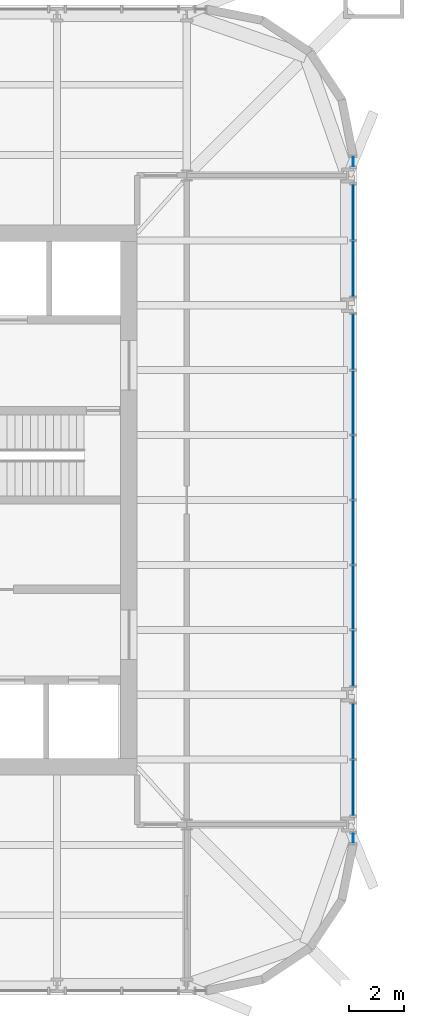
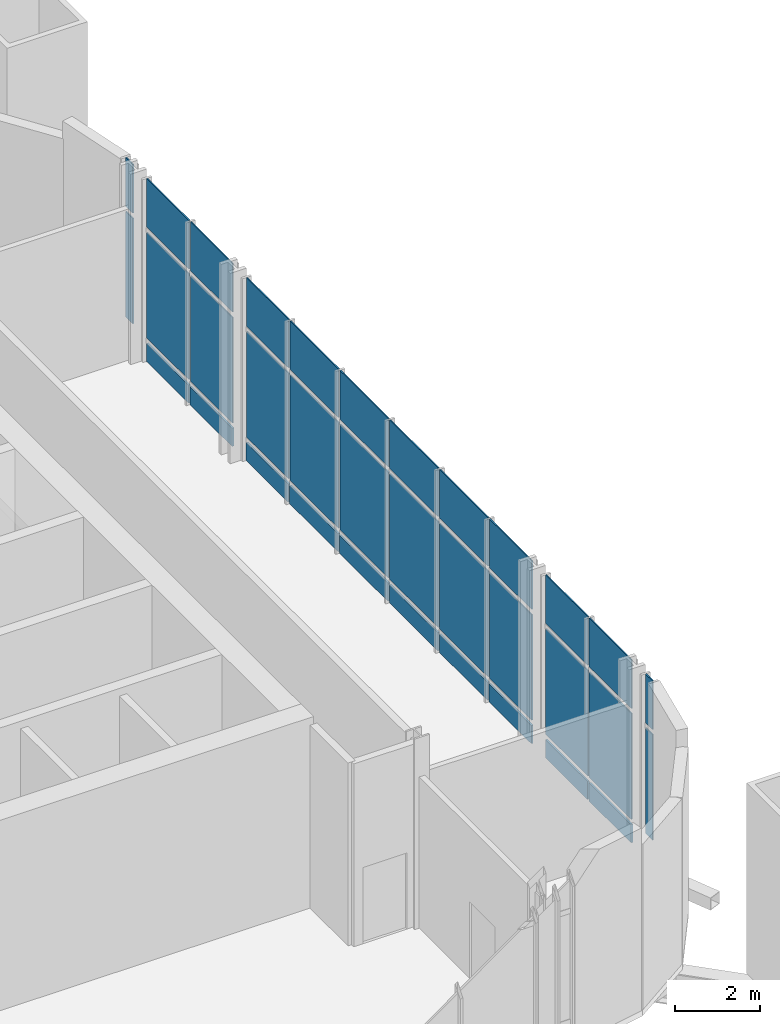
# One storey, part 11 of 17: 34 plates, 5 elements without a shape of their own.
"""IFC4 building model written with IfcOpenShell, lengths in metres."""

from ifc_helpers import new_model, si_unit, direction, frame, origin, origin_2d, place, context, subcontext, project, spatial, rectangle, extrude, material, layer, layer_set, type_object, element, aggregate, save


model = new_model("IFC4")

# Units and contexts
model_context = context("Model", 3, precision=1e-05, world=origin(), true_north=direction((0.0, 1.0)))
body_context = subcontext(model_context, "Body", "Model", "MODEL_VIEW")
ifc_project = project(units=[si_unit("LENGTHUNIT", "METRE"), si_unit("AREAUNIT", "SQUARE_METRE"), si_unit("VOLUMEUNIT", "CUBIC_METRE"), si_unit("PLANEANGLEUNIT", "RADIAN"), si_unit("MASSUNIT", "GRAM", prefix="KILO")], contexts=[model_context])

# Site, building, storey
site_placement = place(None, origin())
site = spatial("IfcSite", under=ifc_project, at=site_placement, CompositionType="ELEMENT")
building_placement = place(site_placement, origin())
building = spatial("IfcBuilding", under=site, at=building_placement, Name="Turquesa Mirador Hotel Tower", CompositionType="ELEMENT")
storey_placement = place(building_placement, frame((0.0, 0.0, 266.699951171875)))
storey = spatial("IfcBuildingStorey", under=building, at=storey_placement, Name="L72", CompositionType="ELEMENT", Elevation=266.699951171875)

# Curtain wall, plates
ifc_material_1 = material(Name="Aluminium extrusion", Category="aluminium")
curtain_wall_type = type_object("IfcCurtainWallType", Name="CW-6 OBSERVATION CURTAIN WALL", PredefinedType="USERDEFINED", material=ifc_material_1)
curtain_wall_1_placement = place(storey_placement, origin())
curtain_wall_1 = element("IfcCurtainWall", 1, at=curtain_wall_1_placement, inside=storey, type_object=curtain_wall_type, Name="CW-6 OBSERVATION CURTAIN WALL L72", ObjectType="CURTAIN WALL", PredefinedType="USERDEFINED")
ifc_material_2 = material(Name="Ceramic-printed spandrel glass on an insulated back pan", Category="glass")
ifc_layer_1 = layer(ifc_material_2, 0.050048828125)
ifc_layer_set_1 = layer_set([ifc_layer_1], Name="CW PANEL SPANDREL CERAMIC")
plate_type_1 = type_object("IfcPlateType", Name="CW PANEL SPANDREL CERAMIC", PredefinedType="CURTAIN_PANEL", material=ifc_layer_set_1)
plate_1_placement = place(storey_placement, frame((72.85009765625, 34.530029296875, 0.0), z_axis=(0.0, 0.0, 1.0), x_axis=(0.0, 1.0, 0.0)))
plate_1 = element("IfcPlate", 2, at=plate_1_placement, type_object=plate_type_1, Name="Panel", PredefinedType="CURTAIN_PANEL", context=body_context, shape_type="SweptSolid", body=[
    extrude(rectangle(XDim=1.9951171875, YDim=0.050048828125, at=origin_2d()), origin(), (0.0, 0.0, 1.0), 0.52490234375),
])
plate_2_placement = place(storey_placement, frame((72.85009765625, 36.590087890625, 0.0), z_axis=(0.0, 0.0, 1.0), x_axis=(0.0, 1.0, 0.0)))
plate_2 = element("IfcPlate", 3, at=plate_2_placement, type_object=plate_type_1, Name="Panel", PredefinedType="CURTAIN_PANEL", context=body_context, shape_type="SweptSolid", body=[
    extrude(rectangle(XDim=1.9951171875, YDim=0.050048828125, at=origin_2d()), origin(), (0.0, 0.0, 1.0), 0.52490234375),
])

curtain_wall_2_placement = place(storey_placement, origin())
curtain_wall_2 = element("IfcCurtainWall", 4, at=curtain_wall_2_placement, inside=storey, type_object=curtain_wall_type, Name="CW-6 OBSERVATION CURTAIN WALL L72", ObjectType="CURTAIN WALL", PredefinedType="USERDEFINED")
plate_3_placement = place(storey_placement, frame((72.85009765625, 39.25, 0.0), z_axis=(0.0, 0.0, 1.0), x_axis=(0.0, 1.0, 0.0)))
plate_3 = element("IfcPlate", 5, at=plate_3_placement, type_object=plate_type_1, Name="Panel", PredefinedType="CURTAIN_PANEL", context=body_context, shape_type="SweptSolid", body=[
    extrude(rectangle(XDim=1.9951171875, YDim=0.050048828125, at=origin_2d()), origin(), (0.0, 0.0, 1.0), 0.52490234375),
])
plate_4_placement = place(storey_placement, frame((72.85009765625, 41.4599609375, 0.0), z_axis=(0.0, 0.0, 1.0), x_axis=(0.0, 1.0, 0.0)))
plate_4 = element("IfcPlate", 6, at=plate_4_placement, type_object=plate_type_1, Name="Panel", PredefinedType="CURTAIN_PANEL", context=body_context, shape_type="SweptSolid", body=[
    extrude(rectangle(XDim=2.294921875, YDim=0.050048828125, at=origin_2d()), origin(), (0.0, 0.0, 1.0), 0.52490234375),
])
plate_5_placement = place(storey_placement, frame((72.85009765625, 43.820068359375, 0.0), z_axis=(0.0, 0.0, 1.0), x_axis=(0.0, 1.0, 0.0)))
plate_5 = element("IfcPlate", 7, at=plate_5_placement, type_object=plate_type_1, Name="Panel", PredefinedType="CURTAIN_PANEL", context=body_context, shape_type="SweptSolid", body=[
    extrude(rectangle(XDim=2.294921875, YDim=0.050048828125, at=origin_2d()), origin(), (0.0, 0.0, 1.0), 0.52490234375),
])
plate_6_placement = place(storey_placement, frame((72.85009765625, 46.179931640625, 0.0), z_axis=(0.0, 0.0, 1.0), x_axis=(0.0, 1.0, 0.0)))
plate_6 = element("IfcPlate", 8, at=plate_6_placement, type_object=plate_type_1, Name="Panel", PredefinedType="CURTAIN_PANEL", context=body_context, shape_type="SweptSolid", body=[
    extrude(rectangle(XDim=2.294921875, YDim=0.050048828125, at=origin_2d()), origin(), (0.0, 0.0, 1.0), 0.52490234375),
])
plate_7_placement = place(storey_placement, frame((72.85009765625, 48.5400390625, 0.0), z_axis=(0.0, 0.0, 1.0), x_axis=(0.0, 1.0, 0.0)))
plate_7 = element("IfcPlate", 9, at=plate_7_placement, type_object=plate_type_1, Name="Panel", PredefinedType="CURTAIN_PANEL", context=body_context, shape_type="SweptSolid", body=[
    extrude(rectangle(XDim=2.294921875, YDim=0.050048828125, at=origin_2d()), origin(), (0.0, 0.0, 1.0), 0.52490234375),
])
plate_8_placement = place(storey_placement, frame((72.85009765625, 50.75, 0.0), z_axis=(0.0, 0.0, 1.0), x_axis=(0.0, 1.0, 0.0)))
plate_8 = element("IfcPlate", 10, at=plate_8_placement, type_object=plate_type_1, Name="Panel", PredefinedType="CURTAIN_PANEL", context=body_context, shape_type="SweptSolid", body=[
    extrude(rectangle(XDim=1.9951171875, YDim=0.050048828125, at=origin_2d()), origin(), (0.0, 0.0, 1.0), 0.52490234375),
])

curtain_wall_3_placement = place(storey_placement, origin())
curtain_wall_3 = element("IfcCurtainWall", 11, at=curtain_wall_3_placement, inside=storey, type_object=curtain_wall_type, Name="CW-6 OBSERVATION CURTAIN WALL L72", ObjectType="CURTAIN WALL", PredefinedType="USERDEFINED")
plate_9_placement = place(storey_placement, frame((72.85009765625, 53.409912109375, 0.0), z_axis=(0.0, 0.0, 1.0), x_axis=(0.0, 1.0, 0.0)))
plate_9 = element("IfcPlate", 12, at=plate_9_placement, type_object=plate_type_1, Name="Panel", PredefinedType="CURTAIN_PANEL", context=body_context, shape_type="SweptSolid", body=[
    extrude(rectangle(XDim=1.9951171875, YDim=0.050048828125, at=origin_2d()), origin(), (0.0, 0.0, 1.0), 0.52490234375),
])
plate_10_placement = place(storey_placement, frame((72.85009765625, 55.469970703125, 0.0), z_axis=(0.0, 0.0, 1.0), x_axis=(0.0, 1.0, 0.0)))
plate_10 = element("IfcPlate", 13, at=plate_10_placement, type_object=plate_type_1, Name="Panel", PredefinedType="CURTAIN_PANEL", context=body_context, shape_type="SweptSolid", body=[
    extrude(rectangle(XDim=1.9951171875, YDim=0.050048828125, at=origin_2d()), origin(), (0.0, 0.0, 1.0), 0.52490234375),
])

curtain_wall_4_placement = place(storey_placement, origin())
curtain_wall_4 = element("IfcCurtainWall", 14, at=curtain_wall_4_placement, inside=storey, type_object=curtain_wall_type, Name="CW-6 OBSERVATION CURTAIN WALL L72", ObjectType="CURTAIN WALL", PredefinedType="USERDEFINED")
ifc_material_3 = material(Name="Ceramic-fritted laminated glass", Category="glass")
ifc_layer_2 = layer(ifc_material_3, 0.031982421875)
ifc_layer_set_2 = layer_set([ifc_layer_2], Name="CW PANEL VISION FRITTED")
plate_type_2 = type_object("IfcPlateType", Name="CW PANEL VISION FRITTED", PredefinedType="CURTAIN_PANEL", material=ifc_layer_set_2)
plate_11_placement = place(storey_placement, frame((72.85009765625, 32.699951171875, 0.6748046875), z_axis=(0.0, 0.0, 1.0), x_axis=(0.0, 1.0, 0.0)))
plate_11 = element("IfcPlate", 15, at=plate_11_placement, type_object=plate_type_2, Name="Panel", PredefinedType="CURTAIN_PANEL", context=body_context, shape_type="SweptSolid", body=[
    extrude(rectangle(XDim=0.3349609375, YDim=0.031982421875, at=origin_2d()), origin(), (0.0, 0.0, 1.0), 3.050048828125),
])
plate_12_placement = place(storey_placement, frame((72.85009765625, 32.699951171875, 3.875), z_axis=(0.0, 0.0, 1.0), x_axis=(0.0, 1.0, 0.0)))
plate_12 = element("IfcPlate", 16, at=plate_12_placement, type_object=plate_type_2, Name="Panel", PredefinedType="CURTAIN_PANEL", context=body_context, shape_type="SweptSolid", body=[
    extrude(rectangle(XDim=0.3349609375, YDim=0.031982421875, at=origin_2d()), origin(), (0.0, 0.0, 1.0), 1.405029296875),
])
aggregate(curtain_wall_4, [plate_11, plate_12])

# Plate
plate_13_placement = place(storey_placement, frame((72.85009765625, 34.530029296875, 0.6748046875), z_axis=(0.0, 0.0, 1.0), x_axis=(0.0, 1.0, 0.0)))
plate_13 = element("IfcPlate", 17, at=plate_13_placement, type_object=plate_type_2, Name="Panel", PredefinedType="CURTAIN_PANEL", context=body_context, shape_type="SweptSolid", body=[
    extrude(rectangle(XDim=1.9951171875, YDim=0.031982421875, at=origin_2d()), origin(), (0.0, 0.0, 1.0), 3.050048828125),
])

plate_14_placement = place(storey_placement, frame((72.85009765625, 34.530029296875, 3.875), z_axis=(0.0, 0.0, 1.0), x_axis=(0.0, 1.0, 0.0)))
plate_14 = element("IfcPlate", 18, at=plate_14_placement, type_object=plate_type_2, Name="Panel", PredefinedType="CURTAIN_PANEL", context=body_context, shape_type="SweptSolid", body=[
    extrude(rectangle(XDim=1.9951171875, YDim=0.031982421875, at=origin_2d()), origin(), (0.0, 0.0, 1.0), 1.405029296875),
])

plate_15_placement = place(storey_placement, frame((72.85009765625, 36.590087890625, 0.6748046875), z_axis=(0.0, 0.0, 1.0), x_axis=(0.0, 1.0, 0.0)))
plate_15 = element("IfcPlate", 19, at=plate_15_placement, type_object=plate_type_2, Name="Panel", PredefinedType="CURTAIN_PANEL", context=body_context, shape_type="SweptSolid", body=[
    extrude(rectangle(XDim=1.9951171875, YDim=0.031982421875, at=origin_2d()), origin(), (0.0, 0.0, 1.0), 3.050048828125),
])

plate_16_placement = place(storey_placement, frame((72.85009765625, 36.590087890625, 3.875), z_axis=(0.0, 0.0, 1.0), x_axis=(0.0, 1.0, 0.0)))
plate_16 = element("IfcPlate", 20, at=plate_16_placement, type_object=plate_type_2, Name="Panel", PredefinedType="CURTAIN_PANEL", context=body_context, shape_type="SweptSolid", body=[
    extrude(rectangle(XDim=1.9951171875, YDim=0.031982421875, at=origin_2d()), origin(), (0.0, 0.0, 1.0), 1.405029296875),
])

aggregate(curtain_wall_1, [plate_1, plate_13, plate_14, plate_2, plate_15, plate_16])

plate_17_placement = place(storey_placement, frame((72.85009765625, 39.25, 0.6748046875), z_axis=(0.0, 0.0, 1.0), x_axis=(0.0, 1.0, 0.0)))
plate_17 = element("IfcPlate", 21, at=plate_17_placement, type_object=plate_type_2, Name="Panel", PredefinedType="CURTAIN_PANEL", context=body_context, shape_type="SweptSolid", body=[
    extrude(rectangle(XDim=1.9951171875, YDim=0.031982421875, at=origin_2d()), origin(), (0.0, 0.0, 1.0), 3.050048828125),
])

plate_18_placement = place(storey_placement, frame((72.85009765625, 39.25, 3.875), z_axis=(0.0, 0.0, 1.0), x_axis=(0.0, 1.0, 0.0)))
plate_18 = element("IfcPlate", 22, at=plate_18_placement, type_object=plate_type_2, Name="Panel", PredefinedType="CURTAIN_PANEL", context=body_context, shape_type="SweptSolid", body=[
    extrude(rectangle(XDim=1.9951171875, YDim=0.031982421875, at=origin_2d()), origin(), (0.0, 0.0, 1.0), 1.405029296875),
])

plate_19_placement = place(storey_placement, frame((72.85009765625, 41.4599609375, 0.6748046875), z_axis=(0.0, 0.0, 1.0), x_axis=(0.0, 1.0, 0.0)))
plate_19 = element("IfcPlate", 23, at=plate_19_placement, type_object=plate_type_2, Name="Panel", PredefinedType="CURTAIN_PANEL", context=body_context, shape_type="SweptSolid", body=[
    extrude(rectangle(XDim=2.294921875, YDim=0.031982421875, at=origin_2d()), origin(), (0.0, 0.0, 1.0), 3.050048828125),
])

plate_20_placement = place(storey_placement, frame((72.85009765625, 41.4599609375, 3.875), z_axis=(0.0, 0.0, 1.0), x_axis=(0.0, 1.0, 0.0)))
plate_20 = element("IfcPlate", 24, at=plate_20_placement, type_object=plate_type_2, Name="Panel", PredefinedType="CURTAIN_PANEL", context=body_context, shape_type="SweptSolid", body=[
    extrude(rectangle(XDim=2.294921875, YDim=0.031982421875, at=origin_2d()), origin(), (0.0, 0.0, 1.0), 1.405029296875),
])

plate_21_placement = place(storey_placement, frame((72.85009765625, 43.820068359375, 0.6748046875), z_axis=(0.0, 0.0, 1.0), x_axis=(0.0, 1.0, 0.0)))
plate_21 = element("IfcPlate", 25, at=plate_21_placement, type_object=plate_type_2, Name="Panel", PredefinedType="CURTAIN_PANEL", context=body_context, shape_type="SweptSolid", body=[
    extrude(rectangle(XDim=2.294921875, YDim=0.031982421875, at=origin_2d()), origin(), (0.0, 0.0, 1.0), 3.050048828125),
])

plate_22_placement = place(storey_placement, frame((72.85009765625, 43.820068359375, 3.875), z_axis=(0.0, 0.0, 1.0), x_axis=(0.0, 1.0, 0.0)))
plate_22 = element("IfcPlate", 26, at=plate_22_placement, type_object=plate_type_2, Name="Panel", PredefinedType="CURTAIN_PANEL", context=body_context, shape_type="SweptSolid", body=[
    extrude(rectangle(XDim=2.294921875, YDim=0.031982421875, at=origin_2d()), origin(), (0.0, 0.0, 1.0), 1.405029296875),
])

plate_23_placement = place(storey_placement, frame((72.85009765625, 46.179931640625, 0.6748046875), z_axis=(0.0, 0.0, 1.0), x_axis=(0.0, 1.0, 0.0)))
plate_23 = element("IfcPlate", 27, at=plate_23_placement, type_object=plate_type_2, Name="Panel", PredefinedType="CURTAIN_PANEL", context=body_context, shape_type="SweptSolid", body=[
    extrude(rectangle(XDim=2.294921875, YDim=0.031982421875, at=origin_2d()), origin(), (0.0, 0.0, 1.0), 3.050048828125),
])

plate_24_placement = place(storey_placement, frame((72.85009765625, 46.179931640625, 3.875), z_axis=(0.0, 0.0, 1.0), x_axis=(0.0, 1.0, 0.0)))
plate_24 = element("IfcPlate", 28, at=plate_24_placement, type_object=plate_type_2, Name="Panel", PredefinedType="CURTAIN_PANEL", context=body_context, shape_type="SweptSolid", body=[
    extrude(rectangle(XDim=2.294921875, YDim=0.031982421875, at=origin_2d()), origin(), (0.0, 0.0, 1.0), 1.405029296875),
])

plate_25_placement = place(storey_placement, frame((72.85009765625, 48.5400390625, 0.6748046875), z_axis=(0.0, 0.0, 1.0), x_axis=(0.0, 1.0, 0.0)))
plate_25 = element("IfcPlate", 29, at=plate_25_placement, type_object=plate_type_2, Name="Panel", PredefinedType="CURTAIN_PANEL", context=body_context, shape_type="SweptSolid", body=[
    extrude(rectangle(XDim=2.294921875, YDim=0.031982421875, at=origin_2d()), origin(), (0.0, 0.0, 1.0), 3.050048828125),
])

plate_26_placement = place(storey_placement, frame((72.85009765625, 48.5400390625, 3.875), z_axis=(0.0, 0.0, 1.0), x_axis=(0.0, 1.0, 0.0)))
plate_26 = element("IfcPlate", 30, at=plate_26_placement, type_object=plate_type_2, Name="Panel", PredefinedType="CURTAIN_PANEL", context=body_context, shape_type="SweptSolid", body=[
    extrude(rectangle(XDim=2.294921875, YDim=0.031982421875, at=origin_2d()), origin(), (0.0, 0.0, 1.0), 1.405029296875),
])

plate_27_placement = place(storey_placement, frame((72.85009765625, 50.75, 0.6748046875), z_axis=(0.0, 0.0, 1.0), x_axis=(0.0, 1.0, 0.0)))
plate_27 = element("IfcPlate", 31, at=plate_27_placement, type_object=plate_type_2, Name="Panel", PredefinedType="CURTAIN_PANEL", context=body_context, shape_type="SweptSolid", body=[
    extrude(rectangle(XDim=1.9951171875, YDim=0.031982421875, at=origin_2d()), origin(), (0.0, 0.0, 1.0), 3.050048828125),
])

plate_28_placement = place(storey_placement, frame((72.85009765625, 50.75, 3.875), z_axis=(0.0, 0.0, 1.0), x_axis=(0.0, 1.0, 0.0)))
plate_28 = element("IfcPlate", 32, at=plate_28_placement, type_object=plate_type_2, Name="Panel", PredefinedType="CURTAIN_PANEL", context=body_context, shape_type="SweptSolid", body=[
    extrude(rectangle(XDim=1.9951171875, YDim=0.031982421875, at=origin_2d()), origin(), (0.0, 0.0, 1.0), 1.405029296875),
])

aggregate(curtain_wall_2, [plate_3, plate_17, plate_18, plate_4, plate_19, plate_20, plate_5, plate_21, plate_22, plate_6, plate_23, plate_24, plate_7, plate_25, plate_26, plate_8, plate_27, plate_28])

plate_29_placement = place(storey_placement, frame((72.85009765625, 53.409912109375, 0.6748046875), z_axis=(0.0, 0.0, 1.0), x_axis=(0.0, 1.0, 0.0)))
plate_29 = element("IfcPlate", 33, at=plate_29_placement, type_object=plate_type_2, Name="Panel", PredefinedType="CURTAIN_PANEL", context=body_context, shape_type="SweptSolid", body=[
    extrude(rectangle(XDim=1.9951171875, YDim=0.031982421875, at=origin_2d()), origin(), (0.0, 0.0, 1.0), 3.050048828125),
])

plate_30_placement = place(storey_placement, frame((72.85009765625, 53.409912109375, 3.875), z_axis=(0.0, 0.0, 1.0), x_axis=(0.0, 1.0, 0.0)))
plate_30 = element("IfcPlate", 34, at=plate_30_placement, type_object=plate_type_2, Name="Panel", PredefinedType="CURTAIN_PANEL", context=body_context, shape_type="SweptSolid", body=[
    extrude(rectangle(XDim=1.9951171875, YDim=0.031982421875, at=origin_2d()), origin(), (0.0, 0.0, 1.0), 1.405029296875),
])

plate_31_placement = place(storey_placement, frame((72.85009765625, 55.469970703125, 0.6748046875), z_axis=(0.0, 0.0, 1.0), x_axis=(0.0, 1.0, 0.0)))
plate_31 = element("IfcPlate", 35, at=plate_31_placement, type_object=plate_type_2, Name="Panel", PredefinedType="CURTAIN_PANEL", context=body_context, shape_type="SweptSolid", body=[
    extrude(rectangle(XDim=1.9951171875, YDim=0.031982421875, at=origin_2d()), origin(), (0.0, 0.0, 1.0), 3.050048828125),
])

plate_32_placement = place(storey_placement, frame((72.85009765625, 55.469970703125, 3.875), z_axis=(0.0, 0.0, 1.0), x_axis=(0.0, 1.0, 0.0)))
plate_32 = element("IfcPlate", 36, at=plate_32_placement, type_object=plate_type_2, Name="Panel", PredefinedType="CURTAIN_PANEL", context=body_context, shape_type="SweptSolid", body=[
    extrude(rectangle(XDim=1.9951171875, YDim=0.031982421875, at=origin_2d()), origin(), (0.0, 0.0, 1.0), 1.405029296875),
])

aggregate(curtain_wall_3, [plate_9, plate_29, plate_30, plate_10, plate_31, plate_32])

# Curtain wall, plates
curtain_wall_5_placement = place(storey_placement, origin())
curtain_wall_5 = element("IfcCurtainWall", 37, at=curtain_wall_5_placement, inside=storey, type_object=curtain_wall_type, Name="CW-6 OBSERVATION CURTAIN WALL L72", ObjectType="CURTAIN WALL", PredefinedType="USERDEFINED")
plate_33_placement = place(storey_placement, frame((72.85009765625, 57.300048828125, 0.6748046875), z_axis=(0.0, 0.0, 1.0), x_axis=(0.0, 1.0, 0.0)))
plate_33 = element("IfcPlate", 38, at=plate_33_placement, type_object=plate_type_2, Name="Panel", PredefinedType="CURTAIN_PANEL", context=body_context, shape_type="SweptSolid", body=[
    extrude(rectangle(XDim=0.3349609375, YDim=0.031982421875, at=origin_2d()), origin(), (0.0, 0.0, 1.0), 3.050048828125),
])
plate_34_placement = place(storey_placement, frame((72.85009765625, 57.300048828125, 3.875), z_axis=(0.0, 0.0, 1.0), x_axis=(0.0, 1.0, 0.0)))
plate_34 = element("IfcPlate", 39, at=plate_34_placement, type_object=plate_type_2, Name="Panel", PredefinedType="CURTAIN_PANEL", context=body_context, shape_type="SweptSolid", body=[
    extrude(rectangle(XDim=0.3349609375, YDim=0.031982421875, at=origin_2d()), origin(), (0.0, 0.0, 1.0), 1.405029296875),
])
aggregate(curtain_wall_5, [plate_33, plate_34])

save(model, "model.ifc")
